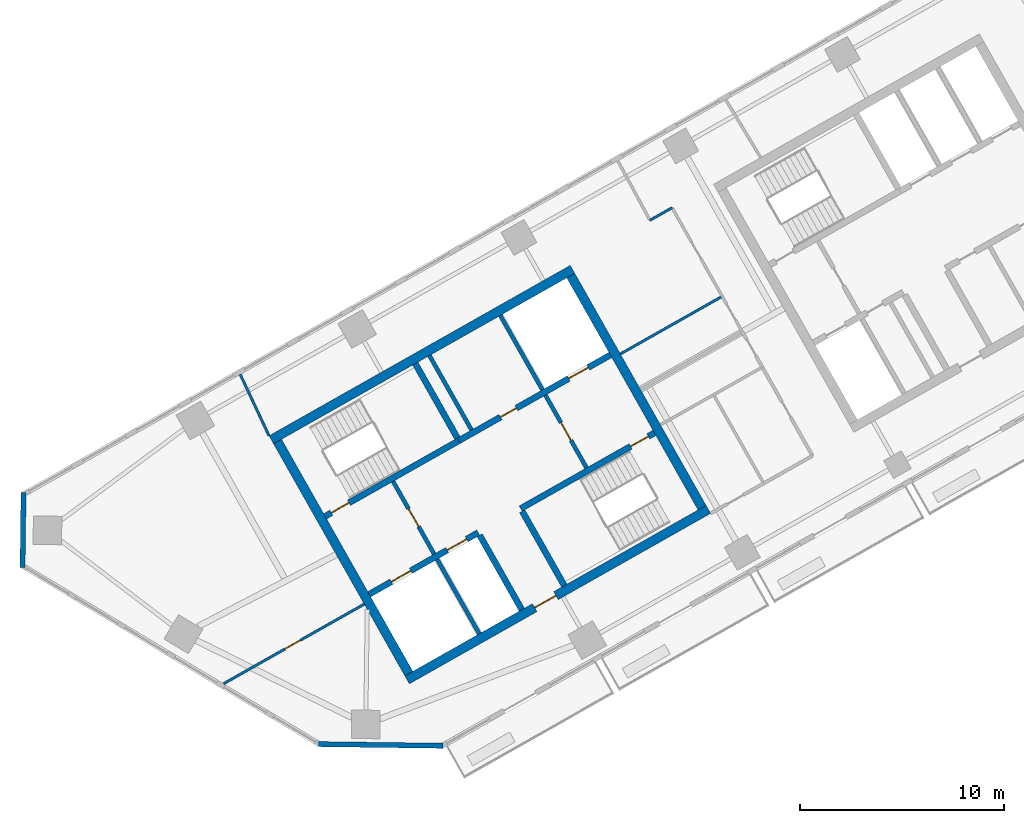
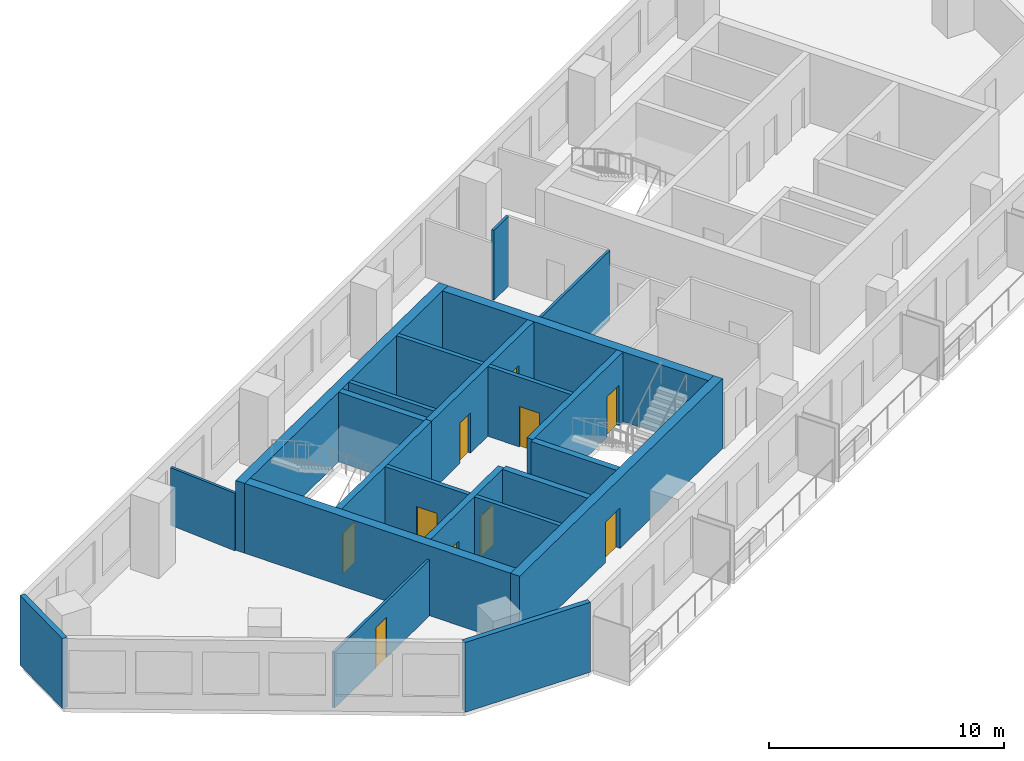
# One storey, part 3 of 12: 22 walls, 10 doors, 10 openings.
"""IFC4 building model written with IfcOpenShell, lengths in metres."""

from ifc_helpers import new_model, si_unit, direction, frame, frame_2d, origin, place, context, subcontext, project, spatial, rectangle, extrude, material, layer, layer_set, type_object, element, fill, save


model = new_model("IFC4")

# Units and contexts
model_context = context("Model", 3, precision=1e-05, world=origin(), true_north=direction((0.0, 1.0)))
body_context = subcontext(model_context, "Body", "Model", "MODEL_VIEW")
ifc_project = project(units=[si_unit("LENGTHUNIT", "METRE"), si_unit("AREAUNIT", "SQUARE_METRE"), si_unit("VOLUMEUNIT", "CUBIC_METRE"), si_unit("PLANEANGLEUNIT", "RADIAN"), si_unit("MASSUNIT", "GRAM", prefix="KILO")], contexts=[model_context])

# Site, building, storey
site_placement = place(None, origin())
site = spatial("IfcSite", under=ifc_project, at=site_placement, CompositionType="ELEMENT")
building_placement = place(site_placement, origin())
building = spatial("IfcBuilding", under=site, at=building_placement, Name="Binnacle Exchange Tower", CompositionType="ELEMENT")
storey_placement = place(building_placement, frame((0.0, 0.0, 211.39990234375)))
storey = spatial("IfcBuildingStorey", under=building, at=storey_placement, Name="L46", CompositionType="ELEMENT", Elevation=211.39990234375)

# Wall, openings, doors
ifc_material_1 = material(Name="Concrete C70/85", Category="concrete")
ifc_layer_1 = layer(ifc_material_1, 0.300048828125)
ifc_layer_set_1 = layer_set([ifc_layer_1], Name="Core wall - front 300")
wall_type_1 = type_object("IfcWallType", Name="Core wall - front 300", PredefinedType="SOLIDWALL", material=ifc_layer_set_1)
wall_1_placement = place(storey_placement, frame((-41.6865234375, 33.88720703125, 0.0), z_axis=(0.0, 0.0, 1.0), x_axis=(0.870355736587, 0.49242348826, 0.0)))
wall_1 = element("IfcWall", 1, at=wall_1_placement, inside=storey, type_object=wall_type_1, Name="Core wall CRWA2", PredefinedType="SOLIDWALL", context=body_context, shape_type="SweptSolid", body=[
    extrude(rectangle(XDim=6.14990234375, YDim=0.300048828125, at=frame_2d((3.074951171875, 0.0))), origin(), (0.0, 0.0, 1.0), 3.6201171875),
])
opening_1_placement = place(wall_1_placement, frame((1.25, 0.0, 0.0)))
opening_1 = element("IfcOpeningElement", 2, at=opening_1_placement, cuts=wall_1, Name="Opening LD12", PredefinedType="OPENING", context=body_context, shape_type="SweptSolid", body=[
    extrude(rectangle(XDim=1.10009765625, YDim=2.10009765625, at=frame_2d((0.550048828125, 1.050048828125))), frame((0.0, 0.159912109375, 0.0), z_axis=(0.0, -1.0, 0.0), x_axis=(1.0, 0.0, 0.0)), (0.0, 0.0, 1.0), 0.320068359375),
])
opening_2_placement = place(wall_1_placement, frame((4.39990234375, 0.0, 0.0)))
opening_2 = element("IfcOpeningElement", 3, at=opening_2_placement, cuts=wall_1, Name="Opening LD8", PredefinedType="OPENING", context=body_context, shape_type="SweptSolid", body=[
    extrude(rectangle(XDim=1.10009765625, YDim=2.10009765625, at=frame_2d((0.550048828125, 1.050048828125))), frame((0.0, 0.159912109375, 0.0), z_axis=(0.0, -1.0, 0.0), x_axis=(1.0, 0.0, 0.0)), (0.0, 0.0, 1.0), 0.320068359375),
])
ifc_material_2 = material(Name="Steel door leaf", Category="steel")
door_type_1 = type_object("IfcDoorType", Name="Fire door - lift landing 1100", OperationType="NOTDEFINED", PredefinedType="DOOR", material=ifc_material_2)
door_1_placement = place(opening_1_placement, origin())
door_1 = element("IfcDoor", 4, at=door_1_placement, inside=storey, type_object=door_type_1, Name="Landing door LD12 L46", OperationType="DOUBLE_DOOR_SLIDING", OverallHeight=2.10009765625, OverallWidth=1.10009765625, PredefinedType="DOOR", context=body_context, shape_type="SweptSolid", body=[
    extrude(rectangle(XDim=1.10009765625, YDim=2.10009765625, at=frame_2d((0.550048828125, 1.050048828125))), frame((0.0, 0.02490234375, 0.0), z_axis=(0.0, -1.0, 0.0), x_axis=(1.0, 0.0, 0.0)), (0.0, 0.0, 1.0), 0.050048828125),
])
fill(opening_1, door_1)
door_2_placement = place(opening_2_placement, origin())
door_2 = element("IfcDoor", 5, at=door_2_placement, inside=storey, type_object=door_type_1, Name="Landing door LD8 L46", OperationType="DOUBLE_DOOR_SLIDING", OverallHeight=2.10009765625, OverallWidth=1.10009765625, PredefinedType="DOOR", context=body_context, shape_type="SweptSolid", body=[
    extrude(rectangle(XDim=1.10009765625, YDim=2.10009765625, at=frame_2d((0.550048828125, 1.050048828125))), frame((0.0, 0.02490234375, 0.0), z_axis=(0.0, -1.0, 0.0), x_axis=(1.0, 0.0, 0.0)), (0.0, 0.0, 1.0), 0.050048828125),
])
fill(opening_2, door_2)

wall_2_placement = place(storey_placement, frame((-37.281982421875, 41.4345703125, 0.0), z_axis=(0.0, 0.0, 1.0), x_axis=(0.870352688754, 0.492428875248, 0.0)))
wall_2 = element("IfcWall", 6, at=wall_2_placement, inside=storey, type_object=wall_type_1, Name="Core wall CRWA5", PredefinedType="SOLIDWALL", context=body_context, shape_type="SweptSolid", body=[
    extrude(rectangle(XDim=8.5498046875, YDim=0.300048828125, at=frame_2d((4.27490234375, 0.0))), origin(), (0.0, 0.0, 1.0), 3.6201171875),
])
opening_3_placement = place(wall_2_placement, frame((6.199951171875, 0.0, 0.0)))
opening_3 = element("IfcOpeningElement", 7, at=opening_3_placement, cuts=wall_2, Name="Opening LD13", PredefinedType="OPENING", context=body_context, shape_type="SweptSolid", body=[
    extrude(rectangle(XDim=1.10009765625, YDim=2.10009765625, at=frame_2d((0.550048828125, 1.050048828125))), frame((0.0, 0.159912109375, 0.0), z_axis=(0.0, -1.0, 0.0), x_axis=(1.0, 0.0, 0.0)), (0.0, 0.0, 1.0), 0.320068359375),
])
opening_4_placement = place(wall_2_placement, frame((2.35009765625, 0.0, 0.0)))
opening_4 = element("IfcOpeningElement", 8, at=opening_4_placement, cuts=wall_2, Name="Opening DA10", PredefinedType="OPENING", context=body_context, shape_type="SweptSolid", body=[
    extrude(rectangle(XDim=0.89990234375, YDim=2.10009765625, at=frame_2d((0.449951171875, 1.050048828125))), frame((0.0, 0.159912109375, 0.0), z_axis=(0.0, -1.0, 0.0), x_axis=(1.0, 0.0, 0.0)), (0.0, 0.0, 1.0), 0.320068359375),
])
door_3_placement = place(opening_3_placement, origin())
door_3 = element("IfcDoor", 9, at=door_3_placement, inside=storey, type_object=door_type_1, Name="Landing door LD13 L46", OperationType="DOUBLE_DOOR_SLIDING", OverallHeight=2.10009765625, OverallWidth=1.10009765625, PredefinedType="DOOR", context=body_context, shape_type="SweptSolid", body=[
    extrude(rectangle(XDim=1.10009765625, YDim=2.10009765625, at=frame_2d((0.550048828125, 1.050048828125))), frame((0.0, 0.02490234375, 0.0), z_axis=(0.0, -1.0, 0.0), x_axis=(1.0, 0.0, 0.0)), (0.0, 0.0, 1.0), 0.050048828125),
])
fill(opening_3, door_3)
door_type_2 = type_object("IfcDoorType", Name="Fire door 900", OperationType="NOTDEFINED", PredefinedType="DOOR", material=ifc_material_2)
door_4_placement = place(opening_4_placement, origin())
door_4 = element("IfcDoor", 10, at=door_4_placement, inside=storey, type_object=door_type_2, Name="Core room door EQUIPMENT STORE", OperationType="SINGLE_SWING_LEFT", OverallHeight=2.10009765625, OverallWidth=0.89990234375, PredefinedType="DOOR", context=body_context, shape_type="SweptSolid", body=[
    extrude(rectangle(XDim=0.89990234375, YDim=2.10009765625, at=frame_2d((0.449951171875, 1.050048828125))), frame((0.0, 0.02490234375, 0.0), z_axis=(0.0, -1.0, 0.0), x_axis=(1.0, 0.0, 0.0)), (0.0, 0.0, 1.0), 0.050048828125),
])
fill(opening_4, door_4)

# Wall
wall_3_placement = place(storey_placement, frame((-36.260009765625, 36.784912109375, 0.0), z_axis=(0.0, 0.0, 1.0), x_axis=(0.492409653846, -0.870363563575, 0.0)))
element("IfcWall", 11, at=wall_3_placement, inside=storey, type_object=wall_type_1, Name="Core wall CRWA13", PredefinedType="SOLIDWALL", context=body_context, shape_type="SweptSolid", body=[
    extrude(rectangle(XDim=4.199951171875, YDim=0.300048828125, at=frame_2d((2.10009765625, 0.0))), origin(), (0.0, 0.0, 1.0), 3.6201171875),
])

# Wall, opening, door
ifc_layer_2 = layer(ifc_material_1, 0.449951171875)
ifc_layer_set_2 = layer_set([ifc_layer_2], Name="Core wall - outer 450")
wall_type_2 = type_object("IfcWallType", Name="Core wall - outer 450", PredefinedType="SOLIDWALL", material=ifc_layer_set_2)
wall_4_placement = place(storey_placement, frame((-39.825439453125, 29.68359375, 0.0), z_axis=(0.0, 0.0, 1.0), x_axis=(0.870353598469, 0.492427267353, 0.0)))
wall_4 = element("IfcWall", 12, at=wall_4_placement, inside=storey, type_object=wall_type_2, Name="Core wall CRWA1", PredefinedType="SOLIDWALL", context=body_context, shape_type="SweptSolid", body=[
    extrude(rectangle(XDim=17.000244140625, YDim=0.449951171875, at=frame_2d((8.5, 0.0))), origin(), (0.0, 0.0, 1.0), 3.6201171875),
])
opening_5_placement = place(wall_4_placement, frame((7.199951171875, 0.0, 0.0)))
opening_5 = element("IfcOpeningElement", 13, at=opening_5_placement, cuts=wall_4, Name="Opening DA7", PredefinedType="OPENING", context=body_context, shape_type="SweptSolid", body=[
    extrude(rectangle(XDim=1.199951171875, YDim=2.10009765625, at=frame_2d((0.60009765625, 1.050048828125))), frame((0.0, 0.23486328125, 0.0), z_axis=(0.0, -1.0, 0.0), x_axis=(1.0, 0.0, 0.0)), (0.0, 0.0, 1.0), 0.469970703125),
])
door_type_3 = type_object("IfcDoorType", Name="Fire door 1200", OperationType="NOTDEFINED", PredefinedType="DOOR", material=ifc_material_2)
door_5_placement = place(opening_5_placement, frame((1.199951171875, 0.0, 0.0), z_axis=(0.0, 0.0, 1.0), x_axis=(-1.0, 0.0, 0.0)))
door_5 = element("IfcDoor", 14, at=door_5_placement, inside=storey, type_object=door_type_3, Name="Lift lobby entrance door core A", OperationType="SINGLE_SWING_RIGHT", OverallHeight=2.10009765625, OverallWidth=1.199951171875, PredefinedType="DOOR", context=body_context, shape_type="SweptSolid", body=[
    extrude(rectangle(XDim=1.199951171875, YDim=2.10009765625, at=frame_2d((0.60009765625, 1.050048828125))), frame((0.0, 0.02490234375, 0.0), z_axis=(0.0, -1.0, 0.0), x_axis=(1.0, 0.0, 0.0)), (0.0, 0.0, 1.0), 0.050048828125),
])
fill(opening_5, door_5)

# Walls
wall_5_placement = place(storey_placement, frame((-46.497802734375, 41.47705078125, 0.0), z_axis=(0.0, 0.0, 1.0), x_axis=(0.870359753402, 0.492416388494, 0.0)))
element("IfcWall", 15, at=wall_5_placement, inside=storey, type_object=wall_type_2, Name="Core wall CRWA6", PredefinedType="SOLIDWALL", context=body_context, shape_type="SweptSolid", body=[
    extrude(rectangle(XDim=17.0, YDim=0.449951171875, at=frame_2d((8.5, 0.0))), origin(), (0.0, 0.0, 1.0), 3.6201171875),
])
for number, where, z_axis, x_axis, name in (
    (16, (-46.191162109375, 41.391845703125, 0.0), (0.0, 0.0, 1.0), (0.492421378713, -0.870356930107, 0.0), "Core wall CRWA7"),
    (17, (-31.78662109375, 49.54150390625, 0.0), (0.0, 0.0, 1.0), (0.492421378713, -0.870356930107, 0.0), "Core wall CRWA22"),
):
    element("IfcWall", number, at=place(storey_placement, frame(where, z_axis=z_axis, x_axis=x_axis)), inside=storey, type_object=wall_type_2, Name=name, PredefinedType="SOLIDWALL", context=body_context, shape_type="SweptSolid", body=[
        extrude(rectangle(XDim=13.099853515625, YDim=0.449951171875, at=frame_2d((6.5498046875, 0.0))), origin(), (0.0, 0.0, 1.0), 3.6201171875),
    ])

# Wall, opening, door
ifc_layer_3 = layer(ifc_material_1, 0.300048828125)
ifc_layer_set_3 = layer_set([ifc_layer_3], Name="Core wall - stair 300")
wall_type_3 = type_object("IfcWallType", Name="Core wall - stair 300", PredefinedType="SOLIDWALL", material=ifc_layer_set_3)
wall_6_placement = place(storey_placement, frame((-34.2451171875, 38.097412109375, 0.0), z_axis=(0.0, 0.0, 1.0), x_axis=(0.870360409231, 0.492415229297, 0.0)))
wall_6 = element("IfcWall", 18, at=wall_6_placement, inside=storey, type_object=wall_type_3, Name="Core wall CRWA3", PredefinedType="SOLIDWALL", context=body_context, shape_type="SweptSolid", body=[
    extrude(rectangle(XDim=7.550048828125, YDim=0.300048828125, at=frame_2d((3.77490234375, 0.0))), origin(), (0.0, 0.0, 1.0), 3.6201171875),
])
opening_6_placement = place(wall_6_placement, frame((6.199951171875, 0.0, 0.0)))
opening_6 = element("IfcOpeningElement", 19, at=opening_6_placement, cuts=wall_6, Name="Opening DA2", PredefinedType="OPENING", context=body_context, shape_type="SweptSolid", body=[
    extrude(rectangle(XDim=1.0, YDim=2.10009765625, at=frame_2d((0.5, 1.050048828125))), frame((0.0, 0.159912109375, 0.0), z_axis=(0.0, -1.0, 0.0), x_axis=(1.0, 0.0, 0.0)), (0.0, 0.0, 1.0), 0.320068359375),
])
door_type_4 = type_object("IfcDoorType", Name="Fire door 1000", OperationType="NOTDEFINED", PredefinedType="DOOR", material=ifc_material_2)
door_6_placement = place(opening_6_placement, frame((1.0, 0.0, 0.0), z_axis=(0.0, 0.0, 1.0), x_axis=(-1.0, 0.0, 0.0)))
door_6 = element("IfcDoor", 20, at=door_6_placement, inside=storey, type_object=door_type_4, Name="Stair door ST-A2", OperationType="SINGLE_SWING_LEFT", OverallHeight=2.10009765625, OverallWidth=1.0, PredefinedType="DOOR", context=body_context, shape_type="SweptSolid", body=[
    extrude(rectangle(XDim=1.0, YDim=2.10009765625, at=frame_2d((0.5, 1.050048828125))), frame((0.0, 0.02490234375, 0.0), z_axis=(0.0, -1.0, 0.0), x_axis=(1.0, 0.0, 0.0)), (0.0, 0.0, 1.0), 0.050048828125),
])
fill(opening_6, door_6)

wall_7_placement = place(storey_placement, frame((-43.853271484375, 37.716796875, 0.0), z_axis=(0.0, 0.0, 1.0), x_axis=(0.870360409231, 0.492415229297, 0.0)))
wall_7 = element("IfcWall", 21, at=wall_7_placement, inside=storey, type_object=wall_type_3, Name="Core wall CRWA4", PredefinedType="SOLIDWALL", context=body_context, shape_type="SweptSolid", body=[
    extrude(rectangle(XDim=7.550048828125, YDim=0.300048828125, at=frame_2d((3.77490234375, 0.0))), origin(), (0.0, 0.0, 1.0), 3.6201171875),
])
opening_7_placement = place(wall_7_placement, frame((0.35009765625, 0.0, 0.0)))
opening_7 = element("IfcOpeningElement", 22, at=opening_7_placement, cuts=wall_7, Name="Opening DA1", PredefinedType="OPENING", context=body_context, shape_type="SweptSolid", body=[
    extrude(rectangle(XDim=1.0, YDim=2.10009765625, at=frame_2d((0.5, 1.050048828125))), frame((0.0, 0.159912109375, 0.0), z_axis=(0.0, -1.0, 0.0), x_axis=(1.0, 0.0, 0.0)), (0.0, 0.0, 1.0), 0.320068359375),
])
door_7_placement = place(opening_7_placement, origin())
door_7 = element("IfcDoor", 23, at=door_7_placement, inside=storey, type_object=door_type_4, Name="Stair door ST-A1", OperationType="SINGLE_SWING_LEFT", OverallHeight=2.10009765625, OverallWidth=1.0, PredefinedType="DOOR", context=body_context, shape_type="SweptSolid", body=[
    extrude(rectangle(XDim=1.0, YDim=2.10009765625, at=frame_2d((0.5, 1.050048828125))), frame((0.0, 0.02490234375, 0.0), z_axis=(0.0, -1.0, 0.0), x_axis=(1.0, 0.0, 0.0)), (0.0, 0.0, 1.0), 0.050048828125),
])
fill(opening_7, door_7)

# Walls
for number, where, z_axis, x_axis, name in (
    (24, (-39.424072265625, 45.220458984375, 0.0), (0.0, 0.0, 1.0), (0.492409653846, -0.870363563575, 0.0), "Core wall CRWA14"),
    (25, (-34.171142578125, 37.966796875, 0.0), (0.0, 0.0, 1.0), (0.492409653846, -0.870363563575, 0.0), "Core wall CRWA16"),
):
    element("IfcWall", number, at=place(storey_placement, frame(where, z_axis=z_axis, x_axis=x_axis)), inside=storey, type_object=wall_type_3, Name=name, PredefinedType="SOLIDWALL", context=body_context, shape_type="SweptSolid", body=[
        extrude(rectangle(XDim=4.199951171875, YDim=0.300048828125, at=frame_2d((2.10009765625, 0.0))), origin(), (0.0, 0.0, 1.0), 3.6201171875),
    ])
ifc_material_3 = material(Name="Bronze aluminium cladding", Category="aluminium")
ifc_layer_4 = layer(ifc_material_3, 0.25)
ifc_layer_set_4 = layer_set([ifc_layer_4], Name="External wall - window wall 250")
wall_type_4 = type_object("IfcWallType", Name="External wall - window wall 250", PredefinedType="STANDARD", material=ifc_layer_set_4)
wall_8_placement = place(storey_placement, frame((-38.06396484375, 26.44482421875, 0.0), z_axis=(0.0, 0.0, 1.0), x_axis=(-0.999914239143, 0.013096349097, 0.0)))
element("IfcWall", 26, at=wall_8_placement, inside=storey, type_object=wall_type_4, Name="External wall EW-G00 L46", PredefinedType="STANDARD", context=body_context, shape_type="SweptSolid", body=[
    extrude(rectangle(XDim=6.114501953125, YDim=0.25, at=frame_2d((3.05712890625, 0.0))), origin(), (0.0, 0.0, 1.0), 3.6201171875),
])
wall_9_placement = place(storey_placement, frame((-58.717041015625, 35.208251953125, 0.0), z_axis=(0.0, 0.0, 1.0), x_axis=(0.01310512158, 0.999914124207, 0.0)))
element("IfcWall", 27, at=wall_9_placement, inside=storey, type_object=wall_type_4, Name="External wall EW-G09 L46", PredefinedType="STANDARD", context=body_context, shape_type="SweptSolid", body=[
    extrude(rectangle(XDim=3.669921875, YDim=0.25, at=frame_2d((1.8349609375, 0.0))), origin(), (0.0, 0.0, 1.0), 3.6201171875),
])

# Wall, opening, door
ifc_material_4 = material(Name="Masonry block wall", Category="masonry")
ifc_layer_5 = layer(ifc_material_4, 0.199951171875)
ifc_layer_set_5 = layer_set([ifc_layer_5], Name="Fire wall - vestibule 200")
wall_type_5 = type_object("IfcWallType", Name="Fire wall - vestibule 200", PredefinedType="PARTITIONING", material=ifc_layer_set_5)
wall_10_placement = place(storey_placement, frame((-40.515625, 39.4326171875, 0.0), z_axis=(0.0, 0.0, 1.0), x_axis=(0.492453559952, -0.87033872216, 0.0)))
wall_10 = element("IfcWall", 28, at=wall_10_placement, inside=storey, type_object=wall_type_5, Name="Core wall CRWA10", PredefinedType="PARTITIONING", context=body_context, shape_type="SweptSolid", body=[
    extrude(rectangle(XDim=4.099853515625, YDim=0.199951171875, at=frame_2d((2.0498046875, 0.0))), origin(), (0.0, 0.0, 1.0), 3.6201171875),
])
opening_8_placement = place(wall_10_placement, frame((1.550048828125, 0.0, 0.0)))
opening_8 = element("IfcOpeningElement", 29, at=opening_8_placement, cuts=wall_10, Name="Opening DA3", PredefinedType="OPENING", context=body_context, shape_type="SweptSolid", body=[
    extrude(rectangle(XDim=1.0, YDim=2.10009765625, at=frame_2d((0.5, 1.050048828125))), frame((0.0, 0.10986328125, 0.0), z_axis=(0.0, -1.0, 0.0), x_axis=(1.0, 0.0, 0.0)), (0.0, 0.0, 1.0), 0.219970703125),
])
door_8_placement = place(opening_8_placement, frame((1.0, 0.0, 0.0), z_axis=(0.0, 0.0, 1.0), x_axis=(-1.0, 0.0, 0.0)))
door_8 = element("IfcDoor", 30, at=door_8_placement, inside=storey, type_object=door_type_4, Name="Vestibule door VEST-W", OperationType="SINGLE_SWING_LEFT", OverallHeight=2.10009765625, OverallWidth=1.0, PredefinedType="DOOR", context=body_context, shape_type="SweptSolid", body=[
    extrude(rectangle(XDim=1.0, YDim=2.10009765625, at=frame_2d((0.5, 1.050048828125))), frame((0.0, 0.02490234375, 0.0), z_axis=(0.0, -1.0, 0.0), x_axis=(1.0, 0.0, 0.0)), (0.0, 0.0, 1.0), 0.050048828125),
])
fill(opening_8, door_8)

wall_11_placement = place(storey_placement, frame((-33.030517578125, 43.66748046875, 0.0), z_axis=(0.0, 0.0, 1.0), x_axis=(0.492408451753, -0.87036424366, 0.0)))
wall_11 = element("IfcWall", 31, at=wall_11_placement, inside=storey, type_object=wall_type_5, Name="Core wall CRWA19", PredefinedType="PARTITIONING", context=body_context, shape_type="SweptSolid", body=[
    extrude(rectangle(XDim=4.099853515625, YDim=0.199951171875, at=frame_2d((2.0498046875, 0.0))), origin(), (0.0, 0.0, 1.0), 3.6201171875),
])
opening_9_placement = place(wall_11_placement, frame((1.550048828125, 0.0, 0.0)))
opening_9 = element("IfcOpeningElement", 32, at=opening_9_placement, cuts=wall_11, Name="Opening DA4", PredefinedType="OPENING", context=body_context, shape_type="SweptSolid", body=[
    extrude(rectangle(XDim=1.0, YDim=2.10009765625, at=frame_2d((0.5, 1.050048828125))), frame((0.0, 0.10986328125, 0.0), z_axis=(0.0, -1.0, 0.0), x_axis=(1.0, 0.0, 0.0)), (0.0, 0.0, 1.0), 0.219970703125),
])
door_9_placement = place(opening_9_placement, origin())
door_9 = element("IfcDoor", 33, at=door_9_placement, inside=storey, type_object=door_type_4, Name="Vestibule door VEST-E", OperationType="SINGLE_SWING_RIGHT", OverallHeight=2.10009765625, OverallWidth=1.0, PredefinedType="DOOR", context=body_context, shape_type="SweptSolid", body=[
    extrude(rectangle(XDim=1.0, YDim=2.10009765625, at=frame_2d((0.5, 1.050048828125))), frame((0.0, 0.02490234375, 0.0), z_axis=(0.0, -1.0, 0.0), x_axis=(1.0, 0.0, 0.0)), (0.0, 0.0, 1.0), 0.050048828125),
])
fill(opening_9, door_9)

ifc_material_5 = material(Name="Gypsum partition")
ifc_layer_6 = layer(ifc_material_5, 0.125)
ifc_layer_set_6 = layer_set([ifc_layer_6], Name="Partition 125")
wall_type_6 = type_object("IfcWallType", Name="Partition 125", PredefinedType="PARTITIONING", material=ifc_layer_set_6)
wall_12_placement = place(storey_placement, frame((-48.843017578125, 29.493896484375, 0.0), z_axis=(0.0, 0.0, 1.0), x_axis=(0.870384139606, 0.492373282705, 0.0)))
wall_12 = element("IfcWall", 34, at=wall_12_placement, inside=storey, type_object=wall_type_6, Name="Partition W01", PredefinedType="PARTITIONING", context=body_context, shape_type="SweptSolid", body=[
    extrude(rectangle(XDim=7.94140625, YDim=0.125, at=frame_2d((3.970703125, 0.0))), origin(), (0.0, 0.0, 1.0), 2.900146484375),
])
opening_10_placement = place(wall_12_placement, frame((3.449951171875, 0.0, 0.0)))
opening_10 = element("IfcOpeningElement", 35, at=opening_10_placement, cuts=wall_12, Name="Opening DL45-01", PredefinedType="OPENING", context=body_context, shape_type="SweptSolid", body=[
    extrude(rectangle(XDim=0.89990234375, YDim=2.10009765625, at=frame_2d((0.449951171875, 1.050048828125))), frame((0.0, 0.072509765625, 0.0), z_axis=(0.0, -1.0, 0.0), x_axis=(1.0, 0.0, 0.0)), (0.0, 0.0, 1.0), 0.14501953125),
])
ifc_material_6 = material(Name="Timber door leaf", Category="wood")
door_type_5 = type_object("IfcDoorType", Name="Door 900", OperationType="NOTDEFINED", PredefinedType="DOOR", material=ifc_material_6)
door_10_placement = place(opening_10_placement, origin())
door_10 = element("IfcDoor", 36, at=door_10_placement, inside=storey, type_object=door_type_5, Name="Door DL45-01", OperationType="SINGLE_SWING_LEFT", OverallHeight=2.10009765625, OverallWidth=0.89990234375, PredefinedType="DOOR", context=body_context, shape_type="SweptSolid", body=[
    extrude(rectangle(XDim=0.89990234375, YDim=2.10009765625, at=frame_2d((0.449951171875, 1.050048828125))), frame((0.0, 0.02490234375, 0.0), z_axis=(0.0, -1.0, 0.0), x_axis=(1.0, 0.0, 0.0)), (0.0, 0.0, 1.0), 0.050048828125),
])
fill(opening_10, door_10)

# Walls
wall_13_placement = place(storey_placement, frame((-48.02197265625, 44.68701171875, 0.0), z_axis=(0.0, 0.0, 1.0), x_axis=(0.424510917438, -0.905422818895, 0.0)))
element("IfcWall", 37, at=wall_13_placement, inside=storey, type_object=wall_type_6, Name="Partition W02", PredefinedType="PARTITIONING", context=body_context, shape_type="SweptSolid", body=[
    extrude(rectangle(XDim=3.328857421875, YDim=0.125, at=frame_2d((1.66455078125, 0.0))), origin(), (0.0, 0.0, 1.0), 2.988037109375),
])
wall_14_placement = place(storey_placement, frame((-29.35009765625, 45.69189453125, 0.0), z_axis=(0.0, 0.0, 1.0), x_axis=(0.870294630003, 0.492531478169, 0.0)))
element("IfcWall", 38, at=wall_14_placement, inside=storey, type_object=wall_type_6, Name="Partition W04", PredefinedType="PARTITIONING", context=body_context, shape_type="SweptSolid", body=[
    extrude(rectangle(XDim=5.75, YDim=0.125, at=frame_2d((2.875, 0.0))), origin(), (0.0, 0.0, 1.0), 3.6201171875),
])
wall_15_placement = place(storey_placement, frame((-27.89599609375, 52.260009765625, 0.0), z_axis=(0.0, 0.0, 1.0), x_axis=(0.870195245452, 0.492707047638, 0.0)))
element("IfcWall", 39, at=wall_15_placement, inside=storey, type_object=wall_type_6, Name="Partition W06", PredefinedType="PARTITIONING", context=body_context, shape_type="SweptSolid", body=[
    extrude(rectangle(XDim=1.250244140625, YDim=0.125, at=frame_2d((0.625, 0.0))), origin(), (0.0, 0.0, 1.0), 3.6201171875),
])
ifc_layer_7 = layer(ifc_material_4, 0.199951171875)
ifc_layer_set_7 = layer_set([ifc_layer_7], Name="Riser wall 200")
wall_type_7 = type_object("IfcWallType", Name="Riser wall 200", PredefinedType="SOLIDWALL", material=ifc_layer_set_7)
wall_16_placement = place(storey_placement, frame((-38.727783203125, 45.614501953125, 0.0), z_axis=(0.0, 0.0, 1.0), x_axis=(0.492409653846, -0.870363563575, 0.0)))
element("IfcWall", 40, at=wall_16_placement, inside=storey, type_object=wall_type_7, Name="Core wall CRWA15", PredefinedType="SOLIDWALL", context=body_context, shape_type="SweptSolid", body=[
    extrude(rectangle(XDim=4.199951171875, YDim=0.199951171875, at=frame_2d((2.10009765625, 0.0))), origin(), (0.0, 0.0, 1.0), 3.6201171875),
])
ifc_layer_8 = layer(ifc_material_4, 0.199951171875)
ifc_layer_set_8 = layer_set([ifc_layer_8], Name="Shaft wall 200")
wall_type_8 = type_object("IfcWallType", Name="Shaft wall 200", PredefinedType="SOLIDWALL", material=ifc_layer_set_8)
for number, where, z_axis, x_axis, name in (
    (41, (-38.348876953125, 35.603271484375, 0.0), (0.0, 0.0, 1.0), (0.492409653846, -0.870363563575, 0.0), "Core wall CRWA9"),
    (42, (-35.246337890625, 47.584228515625, 0.0), (0.0, 0.0, 1.0), (0.492409653846, -0.870363563575, 0.0), "Core wall CRWA21"),
):
    element("IfcWall", number, at=place(storey_placement, frame(where, z_axis=z_axis, x_axis=x_axis)), inside=storey, type_object=wall_type_8, Name=name, PredefinedType="SOLIDWALL", context=body_context, shape_type="SweptSolid", body=[
        extrude(rectangle(XDim=4.199951171875, YDim=0.199951171875, at=frame_2d((2.10009765625, 0.0))), origin(), (0.0, 0.0, 1.0), 3.6201171875),
    ])

save(model, "model.ifc")
